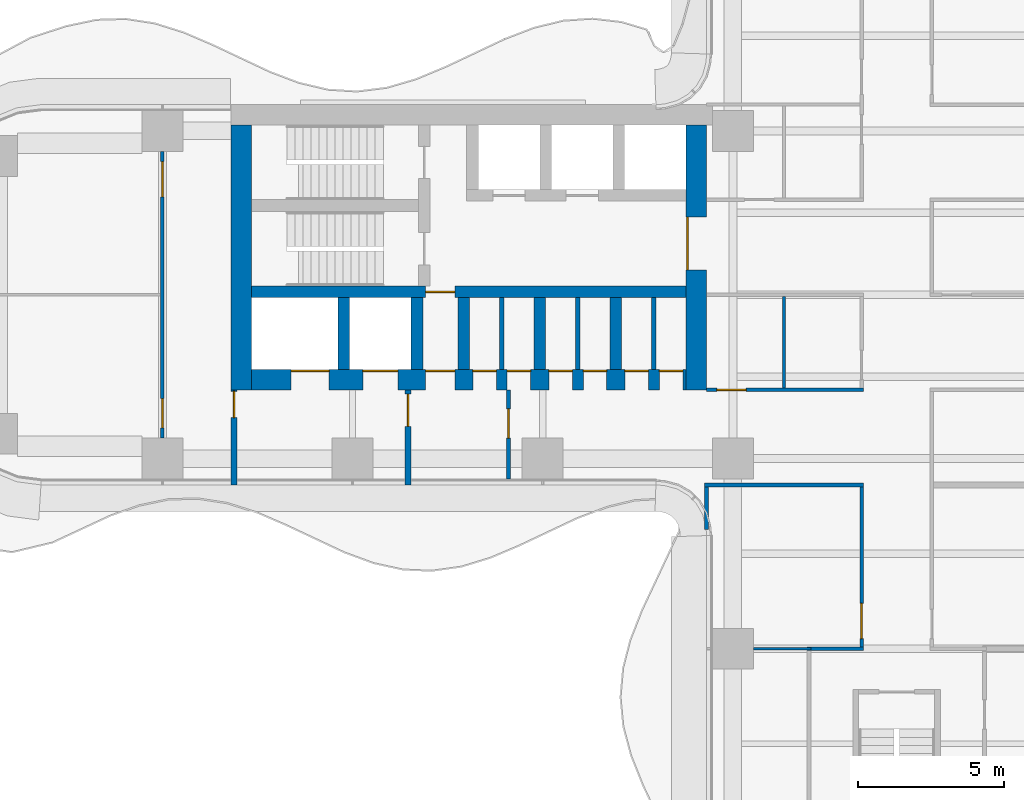
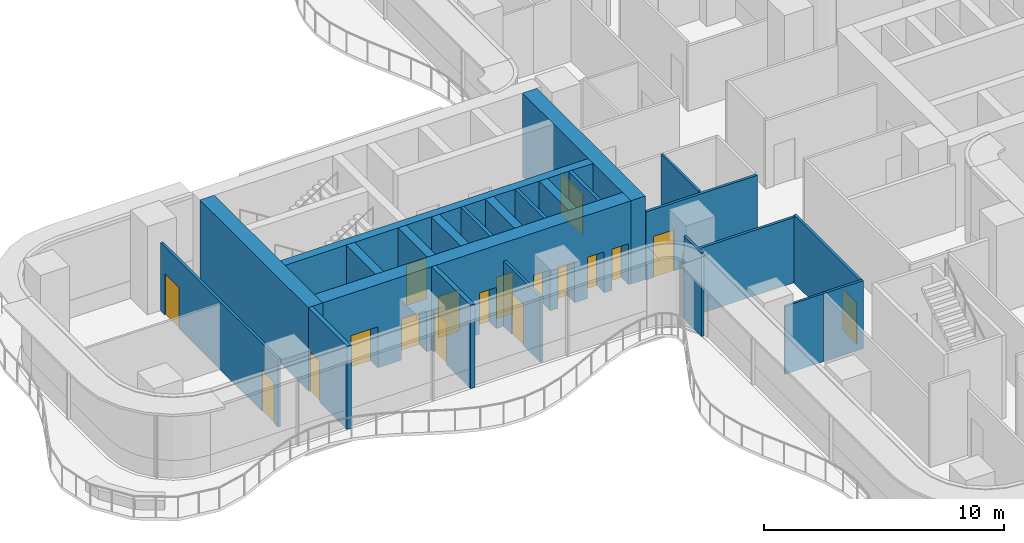
# One storey, part 17 of 23: 23 walls, 18 doors, 18 openings.
"""IFC4 building model written with IfcOpenShell, lengths in metres."""

from ifc_helpers import new_model, si_unit, direction, frame, frame_2d, origin, place, context, subcontext, project, spatial, rectangle, extrude, source, transform, mapped, material, layer, layer_set, type_object, element, fill, save


model = new_model("IFC4")

# Units and contexts
model_context = context("Model", 3, precision=1e-05, world=origin(), true_north=direction((0.0, 1.0)))
body_context = subcontext(model_context, "Body", "Model", "MODEL_VIEW")
ifc_project = project(units=[si_unit("LENGTHUNIT", "METRE"), si_unit("AREAUNIT", "SQUARE_METRE"), si_unit("VOLUMEUNIT", "CUBIC_METRE"), si_unit("PLANEANGLEUNIT", "RADIAN"), si_unit("MASSUNIT", "GRAM", prefix="KILO")], contexts=[model_context])

# Site, building, storey
site_placement = place(None, origin())
site = spatial("IfcSite", under=ifc_project, at=site_placement, CompositionType="ELEMENT")
building_placement = place(site_placement, origin())
building = spatial("IfcBuilding", under=site, at=building_placement, Name="Trellis Farm Tower", CompositionType="ELEMENT")
storey_placement = place(building_placement, frame((0.0, 0.0, 74.5)))
storey = spatial("IfcBuildingStorey", under=building, at=storey_placement, Name="L15", CompositionType="ELEMENT", Elevation=74.5)

# Wall, opening, door
ifc_material_1 = material(Name="Concrete C80/95", Category="concrete")
ifc_layer_1 = layer(ifc_material_1, 0.699951171875)
ifc_layer_set_1 = layer_set([ifc_layer_1], Name="CORE OUTER WALL 700 CONCRETE C80/95")
wall_type_1 = type_object("IfcWallType", Name="CORE OUTER WALL 700 CONCRETE C80/95", PredefinedType="SHEAR", material=ifc_layer_set_1)
shared_shape_1 = source(origin(), body_context, "Body", "SweptSolid", [
    extrude(rectangle(XDim=9.050048828125, YDim=0.699951171875, at=frame_2d((4.52490234375, 0.0))), origin(), (0.0, 0.0, 1.0), 4.25),
])
wall_1_placement = place(storey_placement, frame((-6.85009765625, 5.800048828125, 0.0), z_axis=(0.0, 0.0, 1.0), x_axis=(0.0, -1.0, 0.0)))
wall_1 = element("IfcWall", 1, at=wall_1_placement, inside=storey, type_object=wall_type_1, Name="Core wall", PredefinedType="SHEAR", context=body_context, shape_type="MappedRepresentation", body=[
    mapped(shared_shape_1, transform((0.0, 0.0, 0.0))),
])
shared_shape_2 = source(origin(), body_context, "Body", "SweptSolid", [
    extrude(rectangle(XDim=1.800048828125, YDim=2.10009765625, at=frame_2d((0.89990234375, 1.050048828125))), frame((0.0, 0.360107421875, 0.0), z_axis=(0.0, -1.0, 0.0), x_axis=(1.0, 0.0, 0.0)), (0.0, 0.0, 1.0), 0.72021484375),
])
opening_1_placement = place(wall_1_placement, frame((3.14990234375, 0.0, 0.0)))
opening_1 = element("IfcOpeningElement", 2, at=opening_1_placement, cuts=wall_1, Name="Opening DC87", PredefinedType="OPENING", context=body_context, shape_type="MappedRepresentation", body=[
    mapped(shared_shape_2, transform((0.0, 0.0, 0.0))),
])
ifc_material_2 = material(Name="Steel", Category="steel")
door_type_1 = type_object("IfcDoorType", Name="CORE FIRE DOOR DOUBLE 1800 X 2100", OperationType="DOUBLE_DOOR_SINGLE_SWING", PredefinedType="DOOR", material=ifc_material_2)
shared_shape_3 = source(origin(), body_context, "Body", "SweptSolid", [
    extrude(rectangle(XDim=1.800048828125, YDim=2.10009765625, at=frame_2d((0.89990234375, 1.050048828125))), frame((0.0, -0.27490234375, 0.0), z_axis=(0.0, -1.0, 0.0), x_axis=(1.0, 0.0, 0.0)), (0.0, 0.0, 1.0), 0.050048828125),
])
door_1_placement = place(opening_1_placement, origin())
door_1 = element("IfcDoor", 3, at=door_1_placement, inside=storey, type_object=door_type_1, Name="Core door", OperationType="DOUBLE_DOOR_SINGLE_SWING", OverallHeight=2.10009765625, OverallWidth=1.800048828125, PredefinedType="DOOR", context=body_context, shape_type="MappedRepresentation", body=[
    mapped(shared_shape_3, transform((0.0, 0.0, 0.0))),
])
fill(opening_1, door_1)

# Walls
wall_2_placement = place(storey_placement, frame((-22.39990234375, 5.800048828125, 0.0), z_axis=(0.0, 0.0, 1.0), x_axis=(0.0, -1.0, 0.0)))
element("IfcWall", 4, at=wall_2_placement, inside=storey, type_object=wall_type_1, Name="Core wall", PredefinedType="SHEAR", context=body_context, shape_type="MappedRepresentation", body=[
    mapped(shared_shape_1, transform((0.0, 0.0, 0.0))),
])
ifc_layer_2 = layer(ifc_material_1, 0.39990234375)
ifc_layer_set_2 = layer_set([ifc_layer_2], Name="CORE INNER WALL 400 CONCRETE C80/95")
wall_type_2 = type_object("IfcWallType", Name="CORE INNER WALL 400 CONCRETE C80/95", PredefinedType="SHEAR", material=ifc_layer_set_2)
shared_shape_4 = source(origin(), body_context, "Body", "SweptSolid", [
    extrude(rectangle(XDim=2.449951171875, YDim=0.39990234375, at=frame_2d((1.22509765625, 0.0))), origin(), (0.0, 0.0, 1.0), 4.25),
])
for number, where, z_axis, x_axis, name in (
    (5, (-9.60009765625, -0.10009765625, 0.0), (0.0, 0.0, 1.0), (0.0, -1.0, 0.0), "Core wall"),
    (6, (-12.199951171875, -0.10009765625, 0.0), (0.0, 0.0, 1.0), (0.0, -1.0, 0.0), "Core wall"),
    (7, (-14.800048828125, -0.10009765625, 0.0), (0.0, 0.0, 1.0), (0.0, -1.0, 0.0), "Core wall"),
    (8, (-16.39990234375, -0.10009765625, 0.0), (0.0, 0.0, 1.0), (0.0, -1.0, 0.0), "Core wall"),
    (9, (-18.89990234375, -0.10009765625, 0.0), (0.0, 0.0, 1.0), (0.0, -1.0, 0.0), "Core wall"),
):
    element("IfcWall", number, at=place(storey_placement, frame(where, z_axis=z_axis, x_axis=x_axis)), inside=storey, type_object=wall_type_2, Name=name, PredefinedType="SHEAR", context=body_context, shape_type="MappedRepresentation", body=[
        mapped(shared_shape_4, transform((0.0, 0.0, 0.0))),
    ])

# Wall, opening, door
ifc_material_3 = material(Name="Masonry blockwork", Category="masonry")
ifc_layer_3 = layer(ifc_material_3, 0.199951171875)
ifc_layer_set_3 = layer_set([ifc_layer_3], Name="FIRE LOBBY PARTITION 200 BLOCKWORK")
wall_type_3 = type_object("IfcWallType", Name="FIRE LOBBY PARTITION 200 BLOCKWORK", PredefinedType="PARTITIONING", material=ifc_layer_set_3)
shared_shape_5 = source(origin(), body_context, "Body", "SweptSolid", [
    extrude(rectangle(XDim=3.25, YDim=0.199951171875, at=frame_2d((1.625, 0.0))), origin(), (0.0, 0.0, 1.0), 4.25),
])
wall_3_placement = place(storey_placement, frame((-16.699951171875, -3.25, 0.0), z_axis=(0.0, 0.0, 1.0), x_axis=(0.0, -1.0, 0.0)))
wall_3 = element("IfcWall", 10, at=wall_3_placement, inside=storey, type_object=wall_type_3, Name="Fire-fighting lobby partition", PredefinedType="PARTITIONING", context=body_context, shape_type="MappedRepresentation", body=[
    mapped(shared_shape_5, transform((0.0, 0.0, 0.0))),
])
shared_shape_6 = source(origin(), body_context, "Body", "SweptSolid", [
    extrude(rectangle(XDim=1.10009765625, YDim=2.10009765625, at=frame_2d((0.550048828125, 1.050048828125))), frame((0.0, 0.110107421875, 0.0), z_axis=(0.0, -1.0, 0.0), x_axis=(1.0, 0.0, 0.0)), (0.0, 0.0, 1.0), 0.22021484375),
])
opening_2_placement = place(wall_3_placement, frame((0.14990234375, 0.0, 0.0)))
opening_2 = element("IfcOpeningElement", 11, at=opening_2_placement, cuts=wall_3, Name="Opening DC93", PredefinedType="OPENING", context=body_context, shape_type="MappedRepresentation", body=[
    mapped(shared_shape_6, transform((0.0, 0.0, 0.0))),
])
door_type_2 = type_object("IfcDoorType", Name="CORE FIRE DOOR 1100 X 2100", OperationType="NOTDEFINED", PredefinedType="DOOR", material=ifc_material_2)
shared_shape_7 = source(origin(), body_context, "Body", "SweptSolid", [
    extrude(rectangle(XDim=1.10009765625, YDim=2.10009765625, at=frame_2d((0.550048828125, 1.050048828125))), frame((0.0, 0.02490234375, 0.0), z_axis=(0.0, -1.0, 0.0), x_axis=(1.0, 0.0, 0.0)), (0.0, 0.0, 1.0), 0.050048828125),
])
door_2_placement = place(opening_2_placement, origin())
door_2 = element("IfcDoor", 12, at=door_2_placement, inside=storey, type_object=door_type_2, Name="Core door", OperationType="SINGLE_SWING_RIGHT", OverallHeight=2.10009765625, OverallWidth=1.10009765625, PredefinedType="DOOR", context=body_context, shape_type="MappedRepresentation", body=[
    mapped(shared_shape_7, transform((0.0, 0.0, 0.0))),
])
fill(opening_2, door_2)

wall_4_placement = place(storey_placement, frame((-22.64990234375, -3.25, 0.0), z_axis=(0.0, 0.0, 1.0), x_axis=(0.0, -1.0, 0.0)))
wall_4 = element("IfcWall", 13, at=wall_4_placement, inside=storey, type_object=wall_type_3, Name="Fire-fighting lobby partition", PredefinedType="PARTITIONING", context=body_context, shape_type="MappedRepresentation", body=[
    mapped(shared_shape_5, transform((0.0, 0.0, 0.0))),
])
shared_shape_8 = source(origin(), body_context, "Body", "SweptSolid", [
    extrude(rectangle(XDim=0.89990234375, YDim=2.10009765625, at=frame_2d((0.449951171875, 1.050048828125))), frame((0.0, 0.110107421875, 0.0), z_axis=(0.0, -1.0, 0.0), x_axis=(1.0, 0.0, 0.0)), (0.0, 0.0, 1.0), 0.22021484375),
])
opening_3_placement = place(wall_4_placement, frame((0.050048828125, 0.0, 0.0)))
opening_3 = element("IfcOpeningElement", 14, at=opening_3_placement, cuts=wall_4, Name="Opening DC94", PredefinedType="OPENING", context=body_context, shape_type="MappedRepresentation", body=[
    mapped(shared_shape_8, transform((0.0, 0.0, 0.0))),
])
door_type_3 = type_object("IfcDoorType", Name="CORE FIRE DOOR 900 X 2100", OperationType="NOTDEFINED", PredefinedType="DOOR", material=ifc_material_2)
shared_shape_9 = source(origin(), body_context, "Body", "SweptSolid", [
    extrude(rectangle(XDim=0.89990234375, YDim=2.10009765625, at=frame_2d((0.449951171875, 1.050048828125))), frame((0.0, 0.02490234375, 0.0), z_axis=(0.0, -1.0, 0.0), x_axis=(1.0, 0.0, 0.0)), (0.0, 0.0, 1.0), 0.050048828125),
])
door_3_placement = place(opening_3_placement, origin())
door_3 = element("IfcDoor", 15, at=door_3_placement, inside=storey, type_object=door_type_3, Name="Core door", OperationType="SINGLE_SWING_RIGHT", OverallHeight=2.10009765625, OverallWidth=0.89990234375, PredefinedType="DOOR", context=body_context, shape_type="MappedRepresentation", body=[
    mapped(shared_shape_9, transform((0.0, 0.0, 0.0))),
])
fill(opening_3, door_3)

# Wall, openings, doors
shared_shape_10 = source(origin(), body_context, "Body", "SweptSolid", [
    extrude(rectangle(XDim=14.85009765625, YDim=0.699951171875, at=frame_2d((7.425048828125, 0.0))), origin(), (0.0, 0.0, 1.0), 4.25),
])
wall_5_placement = place(storey_placement, frame((-7.199951171875, -2.89990234375, 0.0), z_axis=(0.0, 0.0, 1.0), x_axis=(-1.0, 0.0, 0.0)))
wall_5 = element("IfcWall", 16, at=wall_5_placement, inside=storey, type_object=wall_type_1, Name="Core wall", PredefinedType="SHEAR", context=body_context, shape_type="MappedRepresentation", body=[
    mapped(shared_shape_10, transform((0.0, 0.0, 0.0))),
])
shared_shape_11 = source(origin(), body_context, "Body", "SweptSolid", [
    extrude(rectangle(XDim=1.300048828125, YDim=2.10009765625, at=frame_2d((0.64990234375, 1.050048828125))), frame((0.0, 0.360107421875, 0.0), z_axis=(0.0, -1.0, 0.0), x_axis=(1.0, 0.0, 0.0)), (0.0, 0.0, 1.0), 0.72021484375),
])
opening_4_placement = place(wall_5_placement, frame((12.199951171875, 0.0, 0.0)))
opening_4 = element("IfcOpeningElement", 17, at=opening_4_placement, cuts=wall_5, Name="Opening LD15", PredefinedType="OPENING", context=body_context, shape_type="MappedRepresentation", body=[
    mapped(shared_shape_11, transform((0.0, 0.0, 0.0))),
])
shared_shape_12 = source(origin(), body_context, "Body", "SweptSolid", [
    extrude(rectangle(XDim=1.199951171875, YDim=2.10009765625, at=frame_2d((0.60009765625, 1.050048828125))), frame((0.0, 0.360107421875, 0.0), z_axis=(0.0, -1.0, 0.0), x_axis=(1.0, 0.0, 0.0)), (0.0, 0.0, 1.0), 0.72021484375),
])
opening_5_placement = place(wall_5_placement, frame((9.85009765625, 0.0, 0.0)))
opening_5 = element("IfcOpeningElement", 18, at=opening_5_placement, cuts=wall_5, Name="Opening LD16", PredefinedType="OPENING", context=body_context, shape_type="MappedRepresentation", body=[
    mapped(shared_shape_12, transform((0.0, 0.0, 0.0))),
])
shared_shape_13 = source(origin(), body_context, "Body", "SweptSolid", [
    extrude(rectangle(XDim=1.0, YDim=2.10009765625, at=frame_2d((0.5, 1.050048828125))), frame((0.0, 0.360107421875, 0.0), z_axis=(0.0, -1.0, 0.0), x_axis=(1.0, 0.0, 0.0)), (0.0, 0.0, 1.0), 0.72021484375),
])
opening_6_placement = place(wall_5_placement, frame((7.89990234375, 0.0, 0.0)))
opening_6 = element("IfcOpeningElement", 19, at=opening_6_placement, cuts=wall_5, Name="Opening DC92", PredefinedType="OPENING", context=body_context, shape_type="MappedRepresentation", body=[
    mapped(shared_shape_13, transform((0.0, 0.0, 0.0))),
])
shared_shape_14 = source(origin(), body_context, "Body", "SweptSolid", [
    extrude(rectangle(XDim=0.800048828125, YDim=2.10009765625, at=frame_2d((0.39990234375, 1.050048828125))), frame((0.0, 0.360107421875, 0.0), z_axis=(0.0, -1.0, 0.0), x_axis=(1.0, 0.0, 0.0)), (0.0, 0.0, 1.0), 0.72021484375),
])
opening_7_placement = place(wall_5_placement, frame((0.112548828125, 0.0, 0.0)))
opening_7 = element("IfcOpeningElement", 20, at=opening_7_placement, cuts=wall_5, Name="Opening DC95", PredefinedType="OPENING", context=body_context, shape_type="MappedRepresentation", body=[
    mapped(shared_shape_14, transform((0.0, 0.0, 0.0))),
])
opening_8_placement = place(wall_5_placement, frame((1.28759765625, 0.0, 0.0)))
opening_8 = element("IfcOpeningElement", 21, at=opening_8_placement, cuts=wall_5, Name="Opening DC102", PredefinedType="OPENING", context=body_context, shape_type="MappedRepresentation", body=[
    mapped(shared_shape_14, transform((0.0, 0.0, 0.0))),
])
opening_9_placement = place(wall_5_placement, frame((2.71240234375, 0.0, 0.0)))
opening_9 = element("IfcOpeningElement", 22, at=opening_9_placement, cuts=wall_5, Name="Opening DC107", PredefinedType="OPENING", context=body_context, shape_type="MappedRepresentation", body=[
    mapped(shared_shape_14, transform((0.0, 0.0, 0.0))),
])
opening_10_placement = place(wall_5_placement, frame((3.887451171875, 0.0, 0.0)))
opening_10 = element("IfcOpeningElement", 23, at=opening_10_placement, cuts=wall_5, Name="Opening DC114", PredefinedType="OPENING", context=body_context, shape_type="MappedRepresentation", body=[
    mapped(shared_shape_14, transform((0.0, 0.0, 0.0))),
])
opening_11_placement = place(wall_5_placement, frame((5.3125, 0.0, 0.0)))
opening_11 = element("IfcOpeningElement", 24, at=opening_11_placement, cuts=wall_5, Name="Opening DC119", PredefinedType="OPENING", context=body_context, shape_type="MappedRepresentation", body=[
    mapped(shared_shape_14, transform((0.0, 0.0, 0.0))),
])
opening_12_placement = place(wall_5_placement, frame((6.487548828125, 0.0, 0.0)))
opening_12 = element("IfcOpeningElement", 25, at=opening_12_placement, cuts=wall_5, Name="Opening DC126", PredefinedType="OPENING", context=body_context, shape_type="MappedRepresentation", body=[
    mapped(shared_shape_14, transform((0.0, 0.0, 0.0))),
])
door_type_4 = type_object("IfcDoorType", Name="CORE FIRE DOOR 1000 X 2100", OperationType="NOTDEFINED", PredefinedType="DOOR", material=ifc_material_2)
shared_shape_15 = source(origin(), body_context, "Body", "SweptSolid", [
    extrude(rectangle(XDim=1.0, YDim=2.10009765625, at=frame_2d((0.5, 1.050048828125))), frame((0.0, -0.27490234375, 0.0), z_axis=(0.0, -1.0, 0.0), x_axis=(1.0, 0.0, 0.0)), (0.0, 0.0, 1.0), 0.050048828125),
])
door_4_placement = place(opening_6_placement, origin())
door_4 = element("IfcDoor", 26, at=door_4_placement, inside=storey, type_object=door_type_4, Name="Core door", OperationType="SINGLE_SWING_LEFT", OverallHeight=2.10009765625, OverallWidth=1.0, PredefinedType="DOOR", context=body_context, shape_type="MappedRepresentation", body=[
    mapped(shared_shape_15, transform((0.0, 0.0, 0.0))),
])
fill(opening_6, door_4)
ifc_material_4 = material(Name="Stainless steel", Category="steel")
door_type_5 = type_object("IfcDoorType", Name="LIFT LANDING DOOR 1300 X 2100", OperationType="DOUBLE_DOOR_SLIDING", PredefinedType="DOOR", material=ifc_material_4)
shared_shape_16 = source(origin(), body_context, "Body", "SweptSolid", [
    extrude(rectangle(XDim=1.300048828125, YDim=2.10009765625, at=frame_2d((0.64990234375, 1.050048828125))), frame((0.0, -0.27490234375, 0.0), z_axis=(0.0, -1.0, 0.0), x_axis=(1.0, 0.0, 0.0)), (0.0, 0.0, 1.0), 0.050048828125),
])
door_5_placement = place(opening_4_placement, origin())
door_5 = element("IfcDoor", 27, at=door_5_placement, inside=storey, type_object=door_type_5, Name="Lift landing door", OperationType="DOUBLE_DOOR_SLIDING", OverallHeight=2.10009765625, OverallWidth=1.300048828125, PredefinedType="DOOR", context=body_context, shape_type="MappedRepresentation", body=[
    mapped(shared_shape_16, transform((0.0, 0.0, 0.0))),
])
fill(opening_4, door_5)
door_type_6 = type_object("IfcDoorType", Name="LIFT LANDING DOOR 1200 X 2100", OperationType="DOUBLE_DOOR_SLIDING", PredefinedType="DOOR", material=ifc_material_4)
shared_shape_17 = source(origin(), body_context, "Body", "SweptSolid", [
    extrude(rectangle(XDim=1.199951171875, YDim=2.10009765625, at=frame_2d((0.60009765625, 1.050048828125))), frame((0.0, -0.27490234375, 0.0), z_axis=(0.0, -1.0, 0.0), x_axis=(1.0, 0.0, 0.0)), (0.0, 0.0, 1.0), 0.050048828125),
])
door_6_placement = place(opening_5_placement, origin())
door_6 = element("IfcDoor", 28, at=door_6_placement, inside=storey, type_object=door_type_6, Name="Lift landing door", OperationType="DOUBLE_DOOR_SLIDING", OverallHeight=2.10009765625, OverallWidth=1.199951171875, PredefinedType="DOOR", context=body_context, shape_type="MappedRepresentation", body=[
    mapped(shared_shape_17, transform((0.0, 0.0, 0.0))),
])
fill(opening_5, door_6)
door_type_7 = type_object("IfcDoorType", Name="CORE FIRE DOOR 800 X 2100", OperationType="NOTDEFINED", PredefinedType="DOOR", material=ifc_material_2)
shared_shape_18 = source(origin(), body_context, "Body", "SweptSolid", [
    extrude(rectangle(XDim=0.800048828125, YDim=2.10009765625, at=frame_2d((0.39990234375, 1.050048828125))), frame((0.0, -0.27490234375, 0.0), z_axis=(0.0, -1.0, 0.0), x_axis=(1.0, 0.0, 0.0)), (0.0, 0.0, 1.0), 0.050048828125),
])
door_7_placement = place(opening_7_placement, origin())
door_7 = element("IfcDoor", 29, at=door_7_placement, inside=storey, type_object=door_type_7, Name="Core door", OperationType="SINGLE_SWING_LEFT", OverallHeight=2.10009765625, OverallWidth=0.800048828125, PredefinedType="DOOR", context=body_context, shape_type="MappedRepresentation", body=[
    mapped(shared_shape_18, transform((0.0, 0.0, 0.0))),
])
fill(opening_7, door_7)
door_8_placement = place(opening_8_placement, origin())
door_8 = element("IfcDoor", 30, at=door_8_placement, inside=storey, type_object=door_type_7, Name="Core door", OperationType="SINGLE_SWING_RIGHT", OverallHeight=2.10009765625, OverallWidth=0.800048828125, PredefinedType="DOOR", context=body_context, shape_type="MappedRepresentation", body=[
    mapped(shared_shape_18, transform((0.0, 0.0, 0.0))),
])
fill(opening_8, door_8)
door_9_placement = place(opening_9_placement, origin())
door_9 = element("IfcDoor", 31, at=door_9_placement, inside=storey, type_object=door_type_7, Name="Core door", OperationType="SINGLE_SWING_LEFT", OverallHeight=2.10009765625, OverallWidth=0.800048828125, PredefinedType="DOOR", context=body_context, shape_type="MappedRepresentation", body=[
    mapped(shared_shape_18, transform((0.0, 0.0, 0.0))),
])
fill(opening_9, door_9)
door_10_placement = place(opening_10_placement, origin())
door_10 = element("IfcDoor", 32, at=door_10_placement, inside=storey, type_object=door_type_7, Name="Core door", OperationType="SINGLE_SWING_RIGHT", OverallHeight=2.10009765625, OverallWidth=0.800048828125, PredefinedType="DOOR", context=body_context, shape_type="MappedRepresentation", body=[
    mapped(shared_shape_18, transform((0.0, 0.0, 0.0))),
])
fill(opening_10, door_10)
door_11_placement = place(opening_11_placement, origin())
door_11 = element("IfcDoor", 33, at=door_11_placement, inside=storey, type_object=door_type_7, Name="Core door", OperationType="SINGLE_SWING_LEFT", OverallHeight=2.10009765625, OverallWidth=0.800048828125, PredefinedType="DOOR", context=body_context, shape_type="MappedRepresentation", body=[
    mapped(shared_shape_18, transform((0.0, 0.0, 0.0))),
])
fill(opening_11, door_11)
door_12_placement = place(opening_12_placement, origin())
door_12 = element("IfcDoor", 34, at=door_12_placement, inside=storey, type_object=door_type_7, Name="Core door", OperationType="SINGLE_SWING_RIGHT", OverallHeight=2.10009765625, OverallWidth=0.800048828125, PredefinedType="DOOR", context=body_context, shape_type="MappedRepresentation", body=[
    mapped(shared_shape_18, transform((0.0, 0.0, 0.0))),
])
fill(opening_12, door_12)

# Wall, opening, door
shared_shape_19 = source(origin(), body_context, "Body", "SweptSolid", [
    extrude(rectangle(XDim=14.85009765625, YDim=0.39990234375, at=frame_2d((7.425048828125, 0.0))), origin(), (0.0, 0.0, 1.0), 4.25),
])
wall_6_placement = place(storey_placement, frame((-7.199951171875, 0.10009765625, 0.0), z_axis=(0.0, 0.0, 1.0), x_axis=(-1.0, 0.0, 0.0)))
wall_6 = element("IfcWall", 35, at=wall_6_placement, inside=storey, type_object=wall_type_2, Name="Core wall", PredefinedType="SHEAR", context=body_context, shape_type="MappedRepresentation", body=[
    mapped(shared_shape_19, transform((0.0, 0.0, 0.0))),
])
shared_shape_20 = source(origin(), body_context, "Body", "SweptSolid", [
    extrude(rectangle(XDim=1.0, YDim=2.10009765625, at=frame_2d((0.5, 1.050048828125))), frame((0.0, 0.2099609375, 0.0), z_axis=(0.0, -1.0, 0.0), x_axis=(1.0, 0.0, 0.0)), (0.0, 0.0, 1.0), 0.419921875),
])
opening_13_placement = place(wall_6_placement, frame((7.89990234375, 0.0, 0.0)))
opening_13 = element("IfcOpeningElement", 36, at=opening_13_placement, cuts=wall_6, Name="Opening DC91", PredefinedType="OPENING", context=body_context, shape_type="MappedRepresentation", body=[
    mapped(shared_shape_20, transform((0.0, 0.0, 0.0))),
])
shared_shape_21 = source(origin(), body_context, "Body", "SweptSolid", [
    extrude(rectangle(XDim=1.0, YDim=2.10009765625, at=frame_2d((0.5, 1.050048828125))), frame((0.0, 0.02490234375, 0.0), z_axis=(0.0, -1.0, 0.0), x_axis=(1.0, 0.0, 0.0)), (0.0, 0.0, 1.0), 0.050048828125),
])
door_13_placement = place(opening_13_placement, origin())
door_13 = element("IfcDoor", 37, at=door_13_placement, inside=storey, type_object=door_type_4, Name="Core door", OperationType="SINGLE_SWING_RIGHT", OverallHeight=2.10009765625, OverallWidth=1.0, PredefinedType="DOOR", context=body_context, shape_type="MappedRepresentation", body=[
    mapped(shared_shape_21, transform((0.0, 0.0, 0.0))),
])
fill(opening_13, door_13)

# Walls
ifc_layer_4 = layer(ifc_material_3, 0.14990234375)
ifc_layer_set_4 = layer_set([ifc_layer_4], Name="CORE PARTITION 150 BLOCKWORK")
wall_type_4 = type_object("IfcWallType", Name="CORE PARTITION 150 BLOCKWORK", PredefinedType="PARTITIONING", material=ifc_layer_set_4)
shared_shape_22 = source(origin(), body_context, "Body", "SweptSolid", [
    extrude(rectangle(XDim=2.449951171875, YDim=0.14990234375, at=frame_2d((1.22509765625, 0.0))), origin(), (0.0, 0.0, 1.0), 4.25),
])
for number, where, z_axis, x_axis, name in (
    (38, (-8.300048828125, -0.10009765625, 0.0), (0.0, 0.0, 1.0), (0.0, -1.0, 0.0), "Core room partition"),
    (39, (-10.89990234375, -0.10009765625, 0.0), (0.0, 0.0, 1.0), (0.0, -1.0, 0.0), "Core room partition"),
    (40, (-13.5, -0.10009765625, 0.0), (0.0, 0.0, 1.0), (0.0, -1.0, 0.0), "Core room partition"),
):
    element("IfcWall", number, at=place(storey_placement, frame(where, z_axis=z_axis, x_axis=x_axis)), inside=storey, type_object=wall_type_4, Name=name, PredefinedType="PARTITIONING", context=body_context, shape_type="MappedRepresentation", body=[
        mapped(shared_shape_22, transform((0.0, 0.0, 0.0))),
    ])

# Wall, opening, door
ifc_material_5 = material(Name="Plasterboard on steel studs, mineral wool", Category="steel")
ifc_layer_5 = layer(ifc_material_5, 0.125)
ifc_layer_set_5 = layer_set([ifc_layer_5], Name="PARTITION 125 STUD EI 60")
wall_type_5 = type_object("IfcWallType", Name="PARTITION 125 STUD EI 60", PredefinedType="PARTITIONING", material=ifc_layer_set_5)
shared_shape_23 = source(origin(), body_context, "Body", "SweptSolid", [
    extrude(rectangle(XDim=5.47509765625, YDim=0.125, at=frame_2d((2.737548828125, 0.0))), origin(), (0.0, 0.0, 1.0), 3.4677734375),
])
wall_7_placement = place(storey_placement, frame((-1.199951171875, -6.5625, 0.0), z_axis=(0.0, 0.0, 1.0), x_axis=(0.0, -1.0, 0.0)))
wall_7 = element("IfcWall", 41, at=wall_7_placement, inside=storey, type_object=wall_type_5, Name="Partition PW1", PredefinedType="PARTITIONING", context=body_context, shape_type="MappedRepresentation", body=[
    mapped(shared_shape_23, transform((0.0, 0.0, 0.0))),
])
shared_shape_24 = source(origin(), body_context, "Body", "SweptSolid", [
    extrude(rectangle(XDim=1.199951171875, YDim=2.10009765625, at=frame_2d((0.60009765625, 1.050048828125))), frame((0.0, 0.072509765625, 0.0), z_axis=(0.0, -1.0, 0.0), x_axis=(1.0, 0.0, 0.0)), (0.0, 0.0, 1.0), 0.14501953125),
])
opening_14_placement = place(wall_7_placement, frame((3.987548828125, 0.0, 0.0)))
opening_14 = element("IfcOpeningElement", 42, at=opening_14_placement, cuts=wall_7, Name="Opening D601", PredefinedType="OPENING", context=body_context, shape_type="MappedRepresentation", body=[
    mapped(shared_shape_24, transform((0.0, 0.0, 0.0))),
])
ifc_material_6 = material(Name="Fire-rated timber door leaf in a hollow metal frame", Category="wood")
door_type_8 = type_object("IfcDoorType", Name="DOOR 1200x2100 FD30S", OperationType="NOTDEFINED", PredefinedType="DOOR", material=ifc_material_6)
shared_shape_25 = source(origin(), body_context, "Body", "SweptSolid", [
    extrude(rectangle(XDim=1.199951171875, YDim=2.10009765625, at=frame_2d((0.60009765625, 1.050048828125))), frame((0.0, 0.02490234375, 0.0), z_axis=(0.0, -1.0, 0.0), x_axis=(1.0, 0.0, 0.0)), (0.0, 0.0, 1.0), 0.050048828125),
])
door_14_placement = place(opening_14_placement, origin())
door_14 = element("IfcDoor", 43, at=door_14_placement, inside=storey, type_object=door_type_8, Name="Door D601", OperationType="SINGLE_SWING_RIGHT", OverallHeight=2.10009765625, OverallWidth=1.199951171875, PredefinedType="DOOR", context=body_context, shape_type="MappedRepresentation", body=[
    mapped(shared_shape_25, transform((0.0, 0.0, 0.0))),
])
fill(opening_14, door_14)

# Wall
shared_shape_26 = source(origin(), body_context, "Body", "SweptSolid", [
    extrude(rectangle(XDim=1.468994140625, YDim=0.125, at=frame_2d((0.734375, 0.0))), origin(), (0.0, 0.0, 1.0), 4.25),
])
wall_8_placement = place(storey_placement, frame((-6.5, -6.5625, 0.0), z_axis=(0.0, 0.0, 1.0), x_axis=(0.0, -1.0, 0.0)))
element("IfcWall", 44, at=wall_8_placement, inside=storey, type_object=wall_type_5, Name="Partition PW1", PredefinedType="PARTITIONING", context=body_context, shape_type="MappedRepresentation", body=[
    mapped(shared_shape_26, transform((0.0, 0.0, 0.0))),
])

# Wall, openings, doors
shared_shape_27 = source(origin(), body_context, "Body", "SweptSolid", [
    extrude(rectangle(XDim=9.7998046875, YDim=0.125, at=frame_2d((4.89990234375, 0.0))), origin(), (0.0, 0.0, 1.0), 3.4677734375),
])
wall_9_placement = place(storey_placement, frame((-25.10009765625, -4.89990234375, 0.0), z_axis=(0.0, 0.0, 1.0), x_axis=(0.0, 1.0, 0.0)))
wall_9 = element("IfcWall", 45, at=wall_9_placement, inside=storey, type_object=wall_type_5, Name="Partition PW1", PredefinedType="PARTITIONING", context=body_context, shape_type="MappedRepresentation", body=[
    mapped(shared_shape_27, transform((0.0, 0.0, 0.0))),
])
shared_shape_28 = source(origin(), body_context, "Body", "SweptSolid", [
    extrude(rectangle(XDim=1.0, YDim=2.10009765625, at=frame_2d((0.5, 1.050048828125))), frame((0.0, 0.072509765625, 0.0), z_axis=(0.0, -1.0, 0.0), x_axis=(1.0, 0.0, 0.0)), (0.0, 0.0, 1.0), 0.14501953125),
])
opening_15_placement = place(wall_9_placement, frame((0.35009765625, 0.0, 0.0)))
opening_15 = element("IfcOpeningElement", 46, at=opening_15_placement, cuts=wall_9, Name="Opening D103", PredefinedType="OPENING", context=body_context, shape_type="MappedRepresentation", body=[
    mapped(shared_shape_28, transform((0.0, 0.0, 0.0))),
])
opening_16_placement = place(wall_9_placement, frame((8.25, 0.0, 0.0)))
opening_16 = element("IfcOpeningElement", 47, at=opening_16_placement, cuts=wall_9, Name="Opening D602", PredefinedType="OPENING", context=body_context, shape_type="MappedRepresentation", body=[
    mapped(shared_shape_24, transform((0.0, 0.0, 0.0))),
])
door_type_9 = type_object("IfcDoorType", Name="DOOR 1000x2100 FD30S", OperationType="NOTDEFINED", PredefinedType="DOOR", material=ifc_material_6)
door_15_placement = place(opening_15_placement, origin())
door_15 = element("IfcDoor", 48, at=door_15_placement, inside=storey, type_object=door_type_9, Name="Door D103", OperationType="SINGLE_SWING_LEFT", OverallHeight=2.10009765625, OverallWidth=1.0, PredefinedType="DOOR", context=body_context, shape_type="MappedRepresentation", body=[
    mapped(shared_shape_21, transform((0.0, 0.0, 0.0))),
])
fill(opening_15, door_15)
door_16_placement = place(opening_16_placement, origin())
door_16 = element("IfcDoor", 49, at=door_16_placement, inside=storey, type_object=door_type_8, Name="Door D602", OperationType="SINGLE_SWING_RIGHT", OverallHeight=2.10009765625, OverallWidth=1.199951171875, PredefinedType="DOOR", context=body_context, shape_type="MappedRepresentation", body=[
    mapped(shared_shape_25, transform((0.0, 0.0, 0.0))),
])
fill(opening_16, door_16)

# Wall
shared_shape_29 = source(origin(), body_context, "Body", "SweptSolid", [
    extrude(rectangle(XDim=1.925048828125, YDim=0.125, at=frame_2d((0.96240234375, 0.0))), origin(), (0.0, 0.0, 1.0), 3.4677734375),
])
wall_10_placement = place(storey_placement, frame((-3.0625, -12.10009765625, 0.0), z_axis=(0.0, 0.0, 1.0), x_axis=(1.0, 0.0, 0.0)))
element("IfcWall", 50, at=wall_10_placement, inside=storey, type_object=wall_type_5, Name="Partition PW1", PredefinedType="PARTITIONING", context=body_context, shape_type="MappedRepresentation", body=[
    mapped(shared_shape_29, transform((0.0, 0.0, 0.0))),
])

# Wall, opening, door
shared_shape_30 = source(origin(), body_context, "Body", "SweptSolid", [
    extrude(rectangle(XDim=5.362548828125, YDim=0.125, at=frame_2d((2.68115234375, 0.0))), origin(), (0.0, 0.0, 1.0), 3.4677734375),
])
wall_11_placement = place(storey_placement, frame((-1.137451171875, -3.25, 0.0), z_axis=(0.0, 0.0, 1.0), x_axis=(-1.0, 0.0, 0.0)))
wall_11 = element("IfcWall", 51, at=wall_11_placement, inside=storey, type_object=wall_type_5, Name="Partition PW1", PredefinedType="PARTITIONING", context=body_context, shape_type="MappedRepresentation", body=[
    mapped(shared_shape_30, transform((0.0, 0.0, 0.0))),
])
opening_17_placement = place(wall_11_placement, frame((4.012451171875, 0.0, 0.0)))
opening_17 = element("IfcOpeningElement", 52, at=opening_17_placement, cuts=wall_11, Name="Opening D104", PredefinedType="OPENING", context=body_context, shape_type="MappedRepresentation", body=[
    mapped(shared_shape_28, transform((0.0, 0.0, 0.0))),
])
door_17_placement = place(opening_17_placement, origin())
door_17 = element("IfcDoor", 53, at=door_17_placement, inside=storey, type_object=door_type_9, Name="Door D104", OperationType="SINGLE_SWING_RIGHT", OverallHeight=2.10009765625, OverallWidth=1.0, PredefinedType="DOOR", context=body_context, shape_type="MappedRepresentation", body=[
    mapped(shared_shape_21, transform((0.0, 0.0, 0.0))),
])
fill(opening_17, door_17)

# Walls
shared_shape_31 = source(origin(), body_context, "Body", "SweptSolid", [
    extrude(rectangle(XDim=5.425048828125, YDim=0.125, at=frame_2d((2.71240234375, 0.0))), origin(), (0.0, 0.0, 1.0), 3.330078125),
])
wall_12_placement = place(storey_placement, frame((-1.137451171875, -6.5, 0.0), z_axis=(0.0, 0.0, 1.0), x_axis=(-1.0, 0.0, 0.0)))
element("IfcWall", 54, at=wall_12_placement, inside=storey, type_object=wall_type_5, Name="Partition PW1", PredefinedType="PARTITIONING", context=body_context, shape_type="MappedRepresentation", body=[
    mapped(shared_shape_31, transform((0.0, 0.0, 0.0))),
])
ifc_material_7 = material(Name="Plasterboard on steel studs", Category="steel")
ifc_layer_6 = layer(ifc_material_7, 0.10009765625)
ifc_layer_set_6 = layer_set([ifc_layer_6], Name="PARTITION 100 STUD EI 30")
wall_type_6 = type_object("IfcWallType", Name="PARTITION 100 STUD EI 30", PredefinedType="PARTITIONING", material=ifc_layer_set_6)
shared_shape_32 = source(origin(), body_context, "Body", "SweptSolid", [
    extrude(rectangle(XDim=3.125, YDim=0.10009765625, at=frame_2d((1.5625, 0.0))), origin(), (0.0, 0.0, 1.0), 3.54638671875),
])
wall_13_placement = place(storey_placement, frame((-3.85009765625, -3.1875, 0.0), z_axis=(0.0, 0.0, 1.0), x_axis=(0.0, 1.0, 0.0)))
element("IfcWall", 55, at=wall_13_placement, inside=storey, type_object=wall_type_6, Name="Partition PW2", PredefinedType="PARTITIONING", context=body_context, shape_type="MappedRepresentation", body=[
    mapped(shared_shape_32, transform((0.0, 0.0, 0.0))),
])
shared_shape_33 = source(origin(), body_context, "Body", "SweptSolid", [
    extrude(rectangle(XDim=1.96240234375, YDim=0.10009765625, at=frame_2d((0.981201171875, 0.0))), origin(), (0.0, 0.0, 1.0), 3.4677734375),
])
wall_14_placement = place(storey_placement, frame((-4.89990234375, -12.10009765625, 0.0), z_axis=(0.0, 0.0, 1.0), x_axis=(1.0, 0.0, 0.0)))
element("IfcWall", 56, at=wall_14_placement, inside=storey, type_object=wall_type_6, Name="Partition PW2", PredefinedType="PARTITIONING", context=body_context, shape_type="MappedRepresentation", body=[
    mapped(shared_shape_33, transform((0.0, 0.0, 0.0))),
])

# Wall, opening, door
shared_shape_34 = source(origin(), body_context, "Body", "SweptSolid", [
    extrude(rectangle(XDim=3.050048828125, YDim=0.125, at=frame_2d((1.52490234375, 0.0))), origin(), (0.0, 0.0, 1.0), 3.330078125),
])
wall_15_placement = place(storey_placement, frame((-13.26708984375, -6.300048828125, 0.0), z_axis=(0.0, 0.0, 1.0), x_axis=(0.0, 1.0, 0.0)))
wall_15 = element("IfcWall", 57, at=wall_15_placement, inside=storey, type_object=wall_type_5, Name="Partition PW1", PredefinedType="PARTITIONING", context=body_context, shape_type="MappedRepresentation", body=[
    mapped(shared_shape_34, transform((0.0, 0.0, 0.0))),
])
opening_18_placement = place(wall_15_placement, frame((1.39990234375, 0.0, 0.0)))
opening_18 = element("IfcOpeningElement", 58, at=opening_18_placement, cuts=wall_15, Name="Opening D303", PredefinedType="OPENING", context=body_context, shape_type="MappedRepresentation", body=[
    mapped(shared_shape_28, transform((0.0, 0.0, 0.0))),
])
door_type_10 = type_object("IfcDoorType", Name="DOOR 1000x2100 FD60", OperationType="NOTDEFINED", PredefinedType="DOOR", material=ifc_material_6)
door_18_placement = place(opening_18_placement, origin())
door_18 = element("IfcDoor", 59, at=door_18_placement, inside=storey, type_object=door_type_10, Name="Door D303", OperationType="SINGLE_SWING_LEFT", OverallHeight=2.10009765625, OverallWidth=1.0, PredefinedType="DOOR", context=body_context, shape_type="MappedRepresentation", body=[
    mapped(shared_shape_21, transform((0.0, 0.0, 0.0))),
])
fill(opening_18, door_18)

save(model, "model.ifc")
